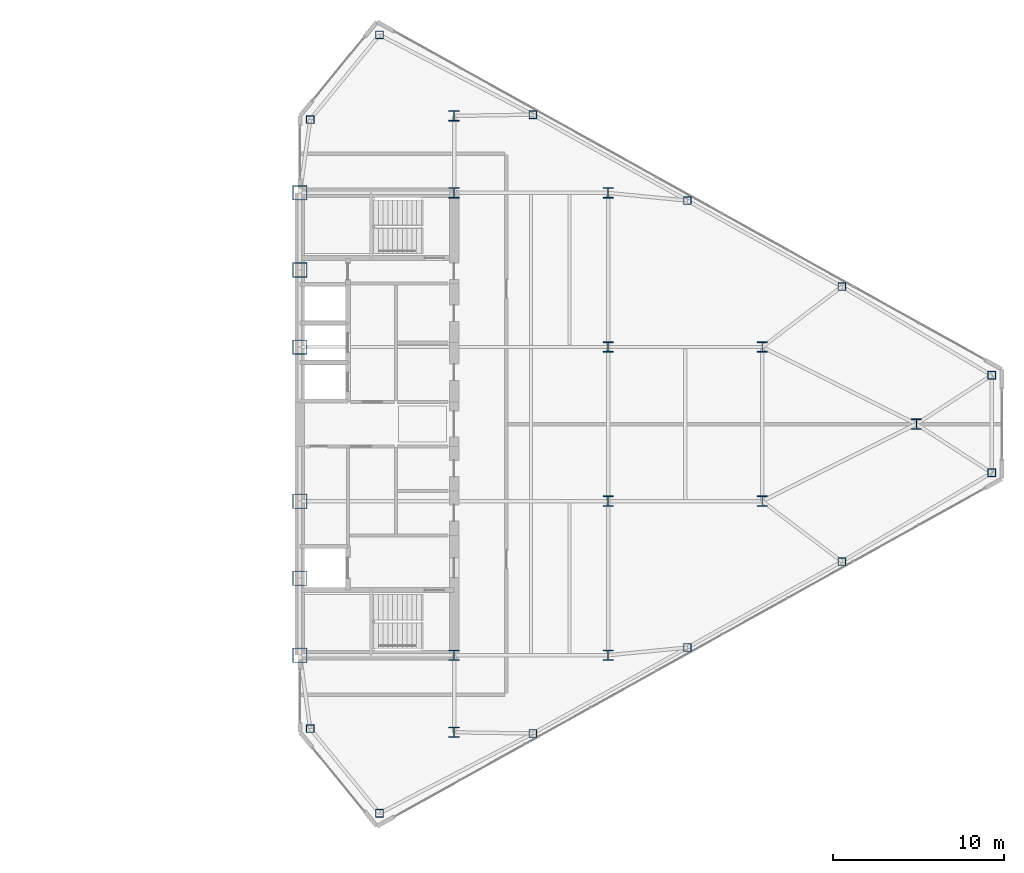
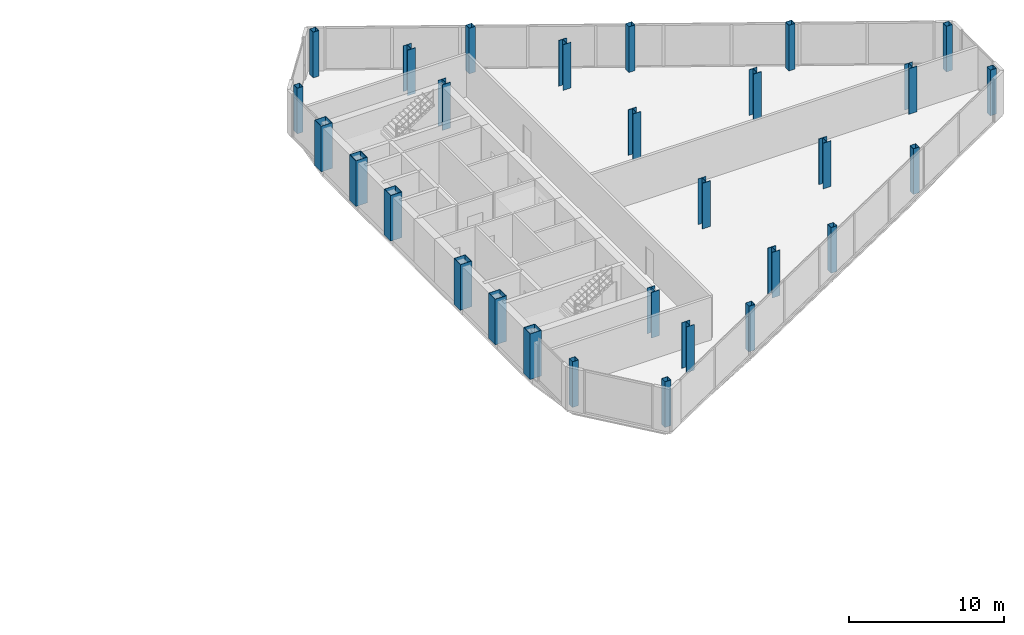
# One storey, part 2 of 26: 29 columns.
"""IFC4 building model written with IfcOpenShell, lengths in metres."""

import ifcopenshell
import ifcopenshell.guid

model = None  # the IFC model being written
_history = None  # IfcOwnerHistory: only IFC2X3 demands one
_inside = {}  # id of a spatial element -> (the spatial element, [elements in it])
_under = {}  # id of a project, library or spatial element -> (it, [spatial elements below it])
_declared = {}  # id of a project -> (the project, [libraries it declares])
_typed = {}  # id of a type object -> (the type object, [elements of that type])
_made_of = {}  # id of a material, layer set ... -> (it, [elements and type objects made of it])


def new_model(schema):
    """Start an empty IFC model of exactly this schema.

    Asked for "IFC4X3", IfcOpenShell would pick the latest addendum, in which some entities
    have other attributes; the version numbers below select the first issue.
    IFC2X3 requires an IfcOwnerHistory on every rooted entity: one is made here for all.
    """
    global model, _history
    if schema == "IFC4X3":
        model = ifcopenshell.file(schema_version=(4, 3, 0, 0))
    else:
        model = ifcopenshell.file(schema=schema)
    _inside.clear()
    _under.clear()
    _declared.clear()
    _typed.clear()
    _made_of.clear()
    _history = None
    if model.schema == "IFC2X3":
        org = make("IfcOrganization", Name="unknown")
        user = make(
            "IfcPersonAndOrganization",
            ThePerson=make("IfcPerson", FamilyName="unknown"),
            TheOrganization=org,
        )
        app = make(
            "IfcApplication",
            ApplicationDeveloper=org,
            Version="unknown",
            ApplicationFullName="unknown",
            ApplicationIdentifier="unknown",
        )
        _history = make(
            "IfcOwnerHistory",
            OwningUser=user,
            OwningApplication=app,
            ChangeAction="ADDED",
            CreationDate=0,
        )
    return model


def make(cls, **values):
    """One entity of the class cls with the attributes given. An attribute that is None is left unset."""
    return model.create_entity(
        cls, **{name: value for name, value in values.items() if value is not None}
    )


def rooted(cls, **values):
    """An entity with a GlobalId (a new one), such as an element, a storey or a relation."""
    return make(cls, GlobalId=ifcopenshell.guid.new(), OwnerHistory=_history, **values)


def si_unit(unit_type, name, prefix=None):
    """IfcSIUnit, for example si_unit("LENGTHUNIT", "METRE", prefix="MILLI")."""
    return make("IfcSIUnit", UnitType=unit_type, Prefix=prefix, Name=name)


def assignment(units):
    """IfcUnitAssignment: the units of a project."""
    return None if units is None else make("IfcUnitAssignment", Units=units)


def point(xyz):
    """IfcCartesianPoint."""
    return None if xyz is None else make("IfcCartesianPoint", Coordinates=xyz)


def direction(xyz):
    """IfcDirection."""
    return None if xyz is None else make("IfcDirection", DirectionRatios=xyz)


def frame(location, z_axis=None, x_axis=None):
    """IfcAxis2Placement3D, a coordinate frame: its origin and axes. An axis left out is left unset."""
    return make(
        "IfcAxis2Placement3D",
        Location=point(location),
        Axis=direction(z_axis),
        RefDirection=direction(x_axis),
    )


def frame_2d(location, x_axis=None):
    """IfcAxis2Placement2D, a coordinate frame in the plane: its origin and x axis."""
    return make(
        "IfcAxis2Placement2D", Location=point(location), RefDirection=direction(x_axis)
    )


def origin():
    """The frame at (0, 0, 0) with its axes left unset."""
    return frame((0.0, 0.0, 0.0))


def origin_2d():
    """The frame at (0, 0) in the plane with its x axis left unset."""
    return frame_2d((0.0, 0.0))


def place(relative_to, where):
    """IfcLocalPlacement: puts the frame where relative to a parent placement (None: the world)."""
    return make(
        "IfcLocalPlacement", PlacementRelTo=relative_to, RelativePlacement=where
    )


def context(
    kind, dimensions, precision=None, world=None, true_north=None, identifier=None
):
    """IfcGeometricRepresentationContext, for example the 3D "Model" context."""
    return make(
        "IfcGeometricRepresentationContext",
        ContextIdentifier=identifier,
        ContextType=kind,
        CoordinateSpaceDimension=dimensions,
        Precision=precision,
        WorldCoordinateSystem=world,
        TrueNorth=true_north,
    )


def subcontext(parent, identifier, kind, view, scale=None):
    """IfcGeometricRepresentationSubContext, for example "Body" below "Model"."""
    return make(
        "IfcGeometricRepresentationSubContext",
        ContextIdentifier=identifier,
        ContextType=kind,
        ParentContext=parent,
        TargetScale=scale,
        TargetView=view,
    )


def project(units=None, contexts=None):
    """IfcProject with its units and contexts."""
    return rooted(
        "IfcProject",
        Name="project",
        RepresentationContexts=contexts,
        UnitsInContext=assignment(units),
    )


def spatial(cls, under=None, at=None, **own):
    """A site, building, storey or space (cls), placed at a placement, below another one or the project."""
    s = rooted(cls, ObjectPlacement=at, **own)
    if under is not None:
        _under.setdefault(under.id(), (under, []))[1].append(s)
    return s


def profile(cls, at=None, kind="AREA", **sizes):
    """A parametric profile (cls). Its sizes go by their IFC names, for example OverallWidth=200.0."""
    return make(cls, ProfileType=kind, Position=at, **sizes)


def hollow_rectangle(**sizes):
    """IfcRectangleHollowProfileDef."""
    return profile("IfcRectangleHollowProfileDef", **sizes)


def i_section(**sizes):
    """IfcIShapeProfileDef."""
    return profile("IfcIShapeProfileDef", **sizes)


def extrude(swept, where, along, depth):
    """IfcExtrudedAreaSolid: the profile swept, set in the frame where, extruded along a direction by depth."""
    return make(
        "IfcExtrudedAreaSolid",
        SweptArea=swept,
        Position=where,
        ExtrudedDirection=direction(along),
        Depth=depth,
    )


def shape(context_of_items, identifier, shape_type, items):
    """IfcShapeRepresentation: the items that make up one representation, for example the "Body"."""
    return make(
        "IfcShapeRepresentation",
        ContextOfItems=context_of_items,
        RepresentationIdentifier=identifier,
        RepresentationType=shape_type,
        Items=items,
    )


def source(mapping_origin, context_of_items, identifier, shape_type, items):
    """IfcRepresentationMap: a shape defined once, which mapped items show again and again."""
    return make(
        "IfcRepresentationMap",
        MappingOrigin=mapping_origin,
        MappedRepresentation=shape(context_of_items, identifier, shape_type, items),
    )


def transform(
    local_origin,
    x_axis=None,
    y_axis=None,
    z_axis=None,
    scale=None,
    scale2=None,
    scale3=None,
    uniform=True,
):
    """IfcCartesianTransformationOperator3D, or its non-uniform kind. x_axis, y_axis, z_axis: its Axis1, 2, 3."""
    if uniform:
        return make(
            "IfcCartesianTransformationOperator3D",
            Axis1=direction(x_axis),
            Axis2=direction(y_axis),
            LocalOrigin=point(local_origin),
            Scale=scale,
            Axis3=direction(z_axis),
        )
    return make(
        "IfcCartesianTransformationOperator3DnonUniform",
        Axis1=direction(x_axis),
        Axis2=direction(y_axis),
        LocalOrigin=point(local_origin),
        Scale=scale,
        Axis3=direction(z_axis),
        Scale2=scale2,
        Scale3=scale3,
    )


def mapped(mapping_source, mapping_target):
    """IfcMappedItem: shows the shape of a source again, moved by a transform."""
    return make(
        "IfcMappedItem", MappingSource=mapping_source, MappingTarget=mapping_target
    )


def material(Name=None, Category=None):
    """IfcMaterial."""
    return make("IfcMaterial", Name=Name, Category=Category)


def material_profile(
    of_material, cross_section, Name=None, Category=None, Priority=None
):
    """IfcMaterialProfile: a cross section and its material."""
    return make(
        "IfcMaterialProfile",
        Name=Name,
        Material=of_material,
        Profile=cross_section,
        Priority=Priority,
        Category=Category,
    )


def profile_set(profiles, Name=None, composite=None):
    """IfcMaterialProfileSet."""
    return make(
        "IfcMaterialProfileSet",
        Name=Name,
        MaterialProfiles=profiles,
        CompositeProfile=composite,
    )


def made_of(thing, what):
    """Note that an element or type object is made of a material, layer set ...; save() writes the relation."""
    if what is not None:
        _made_of.setdefault(what.id(), (what, []))[1].append(thing)
    return thing


def type_object(cls, material=None, **own):
    """A type object (cls), such as IfcWallType, which elements share."""
    return made_of(rooted(cls, **own), material)


def type_shapes(of_type, sources):
    """Give a type object the sources (RepresentationMaps) that its elements show as mapped items."""
    of_type.RepresentationMaps = sources


def element(
    cls,
    number,
    at=None,
    inside=None,
    cuts=None,
    type_object=None,
    material=None,
    context=None,
    identifier="Body",
    shape_type=None,
    held_by="IfcProductDefinitionShape",
    body=None,
    shapes=None,
    **own,
):
    """One element of the class cls, such as IfcWall. Its Tag is "e" and its number.

    at: its placement. inside: the storey or other place that contains it. cuts: it is an
    opening in that element (IfcRelVoidsElement). A single representation is given by context,
    identifier, shape_type and body (its items); several are given by shapes. held_by: the class
    of the entity that holds the representations. save() writes the other relations.
    """
    e = rooted(cls, Tag="e%d" % number, ObjectPlacement=at, **own)
    if body is not None:
        shapes = [shape(context, identifier, shape_type, body)]
    if shapes is not None:
        e.Representation = make(held_by, Representations=shapes)
    if inside is not None:
        _inside.setdefault(inside.id(), (inside, []))[1].append(e)
    if cuts is not None:
        rooted(
            "IfcRelVoidsElement", RelatingBuildingElement=cuts, RelatedOpeningElement=e
        )
    if type_object is not None:
        _typed.setdefault(type_object.id(), (type_object, []))[1].append(e)
    return made_of(e, material)


def aggregate(whole, parts):
    """IfcRelAggregates: a whole, such as a stair, and the parts it consists of."""
    return rooted("IfcRelAggregates", RelatingObject=whole, RelatedObjects=parts)


def save(model, path):
    """Write the relations noted so far, then the file.

    IfcRelAggregates (storeys below a building ...), IfcRelContainedInSpatialStructure (elements
    in a storey), IfcRelDefinesByType, IfcRelAssociatesMaterial and IfcRelDeclares: one each for
    every whole, place, type object, material and project.
    """
    for whole, parts in _under.values():
        aggregate(whole, parts)
    for where, things in _inside.values():
        rooted(
            "IfcRelContainedInSpatialStructure",
            RelatedElements=things,
            RelatingStructure=where,
        )
    for kind, things in _typed.values():
        rooted("IfcRelDefinesByType", RelatedObjects=things, RelatingType=kind)
    for what, things in _made_of.values():
        rooted("IfcRelAssociatesMaterial", RelatedObjects=things, RelatingMaterial=what)
    for by, libraries in _declared.values():
        rooted("IfcRelDeclares", RelatingContext=by, RelatedDefinitions=libraries)
    model.write(path)


model = new_model("IFC4")

# Units and contexts
model_context = context("Model", 3, precision=1e-05, world=origin(), true_north=direction((0.0, 1.0)))
body_context = subcontext(model_context, "Body", "Model", "MODEL_VIEW")
ifc_project = project(units=[si_unit("LENGTHUNIT", "METRE"), si_unit("AREAUNIT", "SQUARE_METRE"), si_unit("VOLUMEUNIT", "CUBIC_METRE"), si_unit("PLANEANGLEUNIT", "RADIAN"), si_unit("MASSUNIT", "GRAM", prefix="KILO")], contexts=[model_context])

# Site, building, storey
site_placement = place(None, origin())
site = spatial("IfcSite", under=ifc_project, at=site_placement, CompositionType="ELEMENT")
building_placement = place(site_placement, origin())
building = spatial("IfcBuilding", under=site, at=building_placement, Name="Seokmaru Belvedere", CompositionType="ELEMENT")
storey_placement = place(building_placement, frame((0.0, 0.0, 181.5)))
storey = spatial("IfcBuildingStorey", under=building, at=storey_placement, Name="L48", CompositionType="ELEMENT", Elevation=181.5)

# Columns
ifc_material_1 = material(Name="Steel SM355 (355 MPa)", Category="steel")
ifc_material_profile_1 = material_profile(ifc_material_1, hollow_rectangle(XDim=0.449951171875, YDim=0.449951171875, WallThickness=0.01806640625, at=origin_2d()), Name="HSS-450x450x18")
ifc_profile_set_1 = profile_set([ifc_material_profile_1], Name="Steel SM355 (355 MPa)")
column_type_1 = type_object("IfcColumnType", Name="Perimeter Facet Column HSS-450", PredefinedType="COLUMN", material=ifc_profile_set_1)
shared_shape_1 = source(origin(), body_context, "Body", "SweptSolid", [
    extrude(hollow_rectangle(XDim=0.449951171875, YDim=0.449951171875, WallThickness=0.01806640625, at=origin_2d()), origin(), (0.0, 0.0, 1.0), 3.60009765625),
])
type_shapes(column_type_1, [shared_shape_1])
for number, where, z_axis, x_axis, name in (
    (1, (32.146728515625, -22.731689453125, 0.0), (0.0, 0.0, 1.0), (1.0, 0.0, 0.0), "L48 Column EF1"),
    (2, (67.89990234375, -2.84716796875, 0.0), (0.0, 0.0, 1.0), (1.0, 0.0, 0.0), "L48 Column EF2"),
    (3, (67.89990234375, 2.84716796875, 0.0), (0.0, 0.0, 1.0), (1.0, 0.0, 0.0), "L48 Column EF3"),
    (4, (32.146728515625, 22.731689453125, 0.0), (0.0, 0.0, 1.0), (1.0, 0.0, 0.0), "L48 Column EF4"),
    (5, (28.10009765625, 17.785888671875, 0.0), (0.0, 0.0, 1.0), (1.0, 0.0, 0.0), "L48 Column EF5"),
    (6, (28.10009765625, -17.785888671875, 0.0), (0.0, 0.0, 1.0), (1.0, 0.0, 0.0), "L48 Column EF6"),
    (7, (41.103759765625, -18.07080078125, 0.0), (0.0, 0.0, 1.0), (1.0, 0.0, 0.0), "L48 Column EFLK_S1"),
    (8, (50.129150390625, -13.051025390625, 0.0), (0.0, 0.0, 1.0), (1.0, 0.0, 0.0), "L48 Column EFLK_S2"),
    (9, (59.154541015625, -8.031494140625, 0.0), (0.0, 0.0, 1.0), (1.0, 0.0, 0.0), "L48 Column EFLK_S3"),
    (10, (41.103759765625, 18.07080078125, 0.0), (0.0, 0.0, 1.0), (1.0, 0.0, 0.0), "L48 Column EFLK_N1"),
    (11, (50.129150390625, 13.051025390625, 0.0), (0.0, 0.0, 1.0), (1.0, 0.0, 0.0), "L48 Column EFLK_N2"),
    (12, (59.154541015625, 8.031494140625, 0.0), (0.0, 0.0, 1.0), (1.0, 0.0, 0.0), "L48 Column EFLK_N3"),
):
    element("IfcColumn", number, at=place(storey_placement, frame(where, z_axis=z_axis, x_axis=x_axis)), inside=storey, type_object=column_type_1, Name=name, PredefinedType="COLUMN", context=body_context, shape_type="MappedRepresentation", body=[
        mapped(shared_shape_1, transform((0.0, 0.0, 0.0), scale=1.0)),
    ])
ifc_material_2 = material(Name="Steel HSA650 (650 MPa)", Category="steel")
ifc_material_profile_2 = material_profile(ifc_material_2, hollow_rectangle(XDim=0.85009765625, YDim=0.85009765625, WallThickness=0.035888671875, at=origin_2d()), Name="BOX-850x850x36")
ifc_profile_set_2 = profile_set([ifc_material_profile_2], Name="Steel HSA650 (650 MPa)")
column_type_2 = type_object("IfcColumnType", Name="Portal Spine Column BOX-850", PredefinedType="COLUMN", material=ifc_profile_set_2)
shared_shape_2 = source(origin(), body_context, "Body", "SweptSolid", [
    extrude(hollow_rectangle(XDim=0.85009765625, YDim=0.85009765625, WallThickness=0.035888671875, at=origin_2d()), origin(), (0.0, 0.0, 1.0), 3.60009765625),
])
type_shapes(column_type_2, [shared_shape_2])
for number, where, z_axis, x_axis, name in (
    (13, (27.5, -13.5, 0.0), (0.0, 0.0, 1.0), (1.0, 0.0, 0.0), "L48 Column ES1"),
    (14, (27.5, -9.0, 0.0), (0.0, 0.0, 1.0), (1.0, 0.0, 0.0), "L48 Column ES2"),
    (15, (27.5, -4.5, 0.0), (0.0, 0.0, 1.0), (1.0, 0.0, 0.0), "L48 Column ES3"),
    (16, (27.5, 4.5, 0.0), (0.0, 0.0, 1.0), (1.0, 0.0, 0.0), "L48 Column ES4"),
    (17, (27.5, 9.0, 0.0), (0.0, 0.0, 1.0), (1.0, 0.0, 0.0), "L48 Column ES5"),
    (18, (27.5, 13.5, 0.0), (0.0, 0.0, 1.0), (1.0, 0.0, 0.0), "L48 Column ES6"),
):
    element("IfcColumn", number, at=place(storey_placement, frame(where, z_axis=z_axis, x_axis=x_axis)), inside=storey, type_object=column_type_2, Name=name, PredefinedType="COLUMN", context=body_context, shape_type="MappedRepresentation", body=[
        mapped(shared_shape_2, transform((0.0, 0.0, 0.0), scale=1.0)),
    ])
ifc_material_profile_3 = material_profile(ifc_material_1, i_section(OverallWidth=0.60009765625, OverallDepth=0.60009765625, WebThickness=0.02490234375, FlangeThickness=0.0400390625, at=origin_2d()), Name="H-600x600x25x40")
ifc_profile_set_3 = profile_set([ifc_material_profile_3], Name="Steel SM355 (355 MPa)")
column_type_3 = type_object("IfcColumnType", Name="Upper-Mid Interior Column H-600", PredefinedType="COLUMN", material=ifc_profile_set_3)
shared_shape_3 = source(origin(), body_context, "Body", "SweptSolid", [
    extrude(i_section(OverallWidth=0.60009765625, OverallDepth=0.60009765625, WebThickness=0.02490234375, FlangeThickness=0.0400390625, at=origin_2d()), origin(), (0.0, 0.0, 1.0), 3.60009765625),
])
type_shapes(column_type_3, [shared_shape_3])
for number, where, z_axis, x_axis, name in (
    (19, (36.5, -18.0, 0.0), (0.0, 0.0, 1.0), (1.0, 0.0, 0.0), "L48 Column EC1"),
    (20, (36.5, -13.5, 0.0), (0.0, 0.0, 1.0), (1.0, 0.0, 0.0), "L48 Column EC2"),
    (21, (36.5, 13.5, 0.0), (0.0, 0.0, 1.0), (1.0, 0.0, 0.0), "L48 Column EC3"),
    (22, (36.5, 18.0, 0.0), (0.0, 0.0, 1.0), (1.0, 0.0, 0.0), "L48 Column EC4"),
    (23, (45.5, -13.5, 0.0), (0.0, 0.0, 1.0), (1.0, 0.0, 0.0), "L48 Column EG5_1"),
    (24, (45.5, -4.5, 0.0), (0.0, 0.0, 1.0), (1.0, 0.0, 0.0), "L48 Column EG5_2"),
    (25, (45.5, 4.5, 0.0), (0.0, 0.0, 1.0), (1.0, 0.0, 0.0), "L48 Column EG5_3"),
    (26, (45.5, 13.5, 0.0), (0.0, 0.0, 1.0), (1.0, 0.0, 0.0), "L48 Column EG5_4"),
    (27, (54.5, -4.5, 0.0), (0.0, 0.0, 1.0), (1.0, 0.0, 0.0), "L48 Column EG4P_1"),
    (28, (54.5, 4.5, 0.0), (0.0, 0.0, 1.0), (1.0, 0.0, 0.0), "L48 Column EG4P_2"),
    (29, (63.5, 0.0, 0.0), (0.0, 0.0, 1.0), (1.0, 0.0, 0.0), "L48 Column EG3P_1"),
):
    element("IfcColumn", number, at=place(storey_placement, frame(where, z_axis=z_axis, x_axis=x_axis)), inside=storey, type_object=column_type_3, Name=name, PredefinedType="COLUMN", context=body_context, shape_type="MappedRepresentation", body=[
        mapped(shared_shape_3, transform((0.0, 0.0, 0.0), scale=1.0)),
    ])

save(model, "model.ifc")
